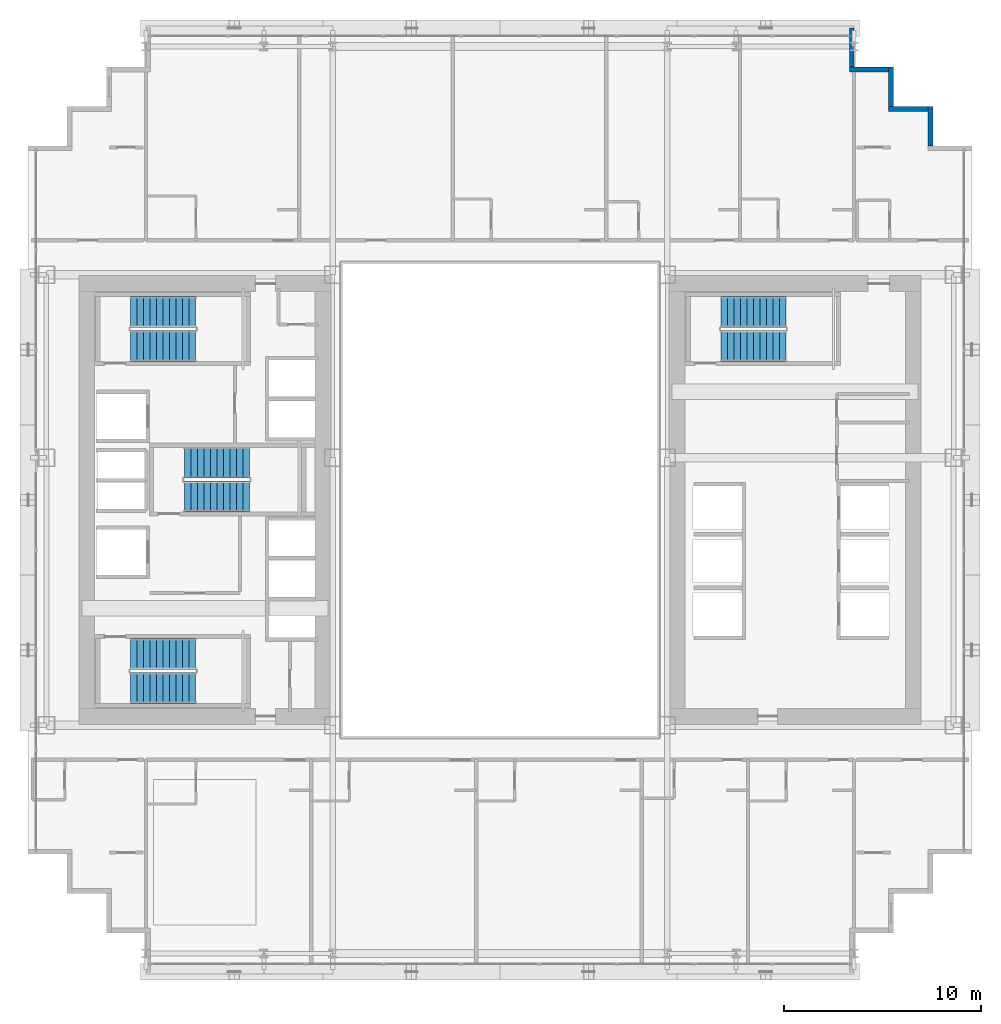
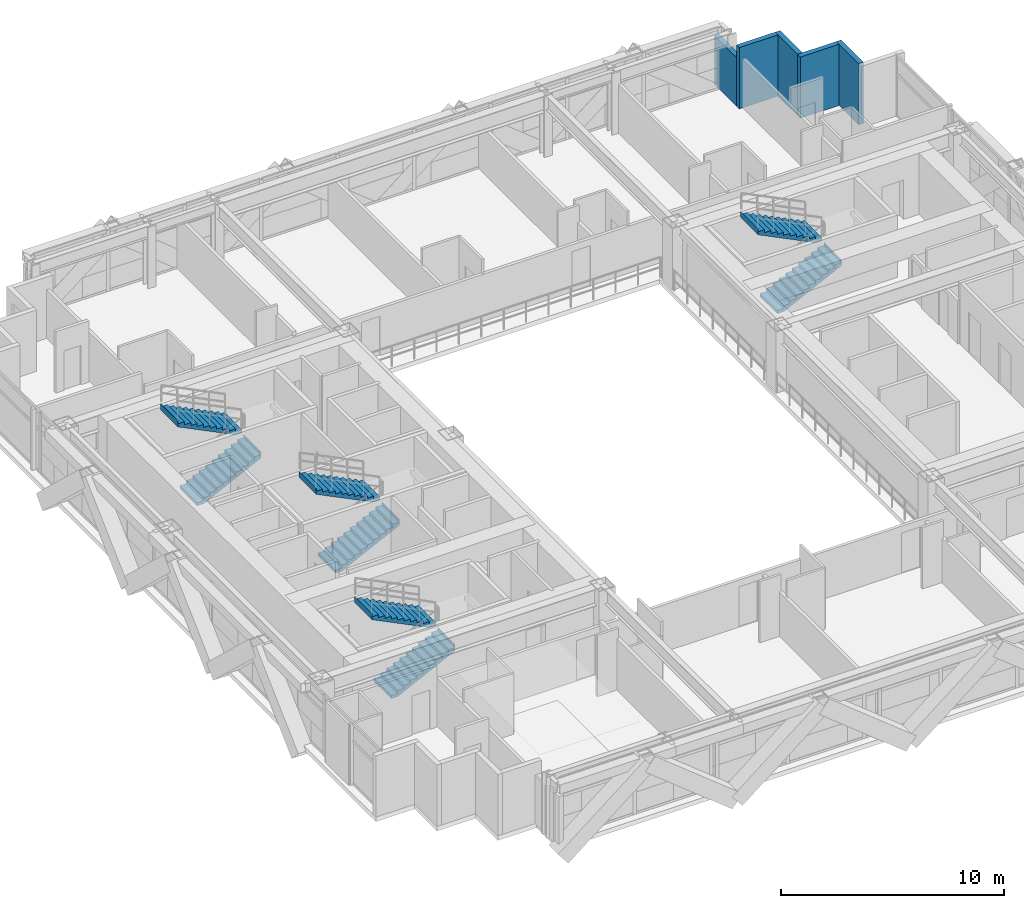
# One storey, part 31 of 35: 8 stair flights, 5 walls, 4 elements without a shape of their own.
"""IFC4 building model written with IfcOpenShell, lengths in metres."""

from ifc_helpers import new_model, si_unit, direction, frame, frame_2d, origin, place, context, subcontext, project, spatial, polyline, rectangle, outline, extrude, source, transform, mapped, material, layer, layer_set, type_object, element, aggregate, save


model = new_model("IFC4")

# Units and contexts
model_context = context("Model", 3, precision=1e-05, world=origin(), true_north=direction((0.0, 1.0)))
body_context = subcontext(model_context, "Body", "Model", "MODEL_VIEW")
ifc_project = project(units=[si_unit("LENGTHUNIT", "METRE"), si_unit("AREAUNIT", "SQUARE_METRE"), si_unit("VOLUMEUNIT", "CUBIC_METRE"), si_unit("PLANEANGLEUNIT", "RADIAN"), si_unit("MASSUNIT", "GRAM", prefix="KILO")], contexts=[model_context])

# Site, building, storey
site_placement = place(None, origin())
site = spatial("IfcSite", under=ifc_project, at=site_placement, CompositionType="ELEMENT")
building_placement = place(site_placement, origin())
building = spatial("IfcBuilding", under=site, at=building_placement, Name="Ocotamira Hotel", CompositionType="ELEMENT")
storey_placement = place(building_placement, frame((0.0, 0.0, 63.60009765625)))
storey = spatial("IfcBuildingStorey", under=building, at=storey_placement, Name="L15", CompositionType="ELEMENT", Elevation=63.60009765625)

# Walls
ifc_material_1 = material(Name="Precast concrete C45/55", Category="concrete")
ifc_layer = layer(ifc_material_1, 0.25)
ifc_layer_set = layer_set([ifc_layer], Name="Precast concrete C45/55")
wall_type = type_object("IfcWallType", Name="WL-EXT-SER-250", PredefinedType="SOLIDWALL", material=ifc_layer_set)
for number, where, z_axis, x_axis, name in (
    (1, (53.875, 44.0, 0.0), (0.0, 0.0, 1.0), (0.0, 1.0, 0.0), "L15 Serrated Corner Wall 08"),
    (2, (53.75, 45.875, 0.0), (0.0, 0.0, 1.0), (-1.0, 0.0, 0.0), "L15 Serrated Corner Wall 09"),
    (3, (51.875, 46.0, 0.0), (0.0, 0.0, 1.0), (0.0, 1.0, 0.0), "L15 Serrated Corner Wall 10"),
    (4, (51.75, 47.875, 0.0), (0.0, 0.0, 1.0), (-1.0, 0.0, 0.0), "L15 Serrated Corner Wall 11"),
):
    element("IfcWall", number, at=place(storey_placement, frame(where, z_axis=z_axis, x_axis=x_axis)), inside=storey, type_object=wall_type, Name=name, PredefinedType="SOLIDWALL", context=body_context, shape_type="SweptSolid", body=[
        extrude(rectangle(XDim=2.0, YDim=0.25, at=frame_2d((1.0, 0.0))), origin(), (0.0, 0.0, 1.0), 3.349853515625),
    ])
wall_placement = place(storey_placement, frame((49.875, 48.0, 0.0), z_axis=(0.0, 0.0, 1.0), x_axis=(0.0, 1.0, 0.0)))
element("IfcWall", 5, at=wall_placement, inside=storey, type_object=wall_type, Name="L15 Serrated Corner Wall 12", PredefinedType="SOLIDWALL", context=body_context, shape_type="SweptSolid", body=[
    extrude(rectangle(XDim=2.0, YDim=0.25, at=frame_2d((1.0, 0.0))), origin(), (0.0, 0.0, 1.0), 2.656982421875),
])

# Stair, stair flights
ifc_material_2 = material(Name="Concrete C40/50", Category="concrete")
stair_type = type_object("IfcStairType", Name="ST-CORE-1560", PredefinedType="HALF_TURN_STAIR", material=ifc_material_2)
stair_1_placement = place(storey_placement, origin())
stair_1 = element("IfcStair", 6, at=stair_1_placement, inside=storey, type_object=stair_type, Name="L15 Exit Stair ST-1", PredefinedType="HALF_TURN_STAIR")
stair_flight_type = type_object("IfcStairFlightType", Name="STF-CORE-1560", PredefinedType="STRAIGHT", material=ifc_material_2)
shared_shape = source(origin(), body_context, "Body", "SweptSolid", [
    extrude(outline(polyline([(-0.00390625, 0.0), (-0.00390625, 0.16357421875), (0.330078125, 0.16357421875), (0.330078125, 0.327392578125), (0.659912109375, 0.327392578125), (0.659912109375, 0.490966796875), (0.989990234375, 0.490966796875), (0.989990234375, 0.654541015625), (1.320068359375, 0.654541015625), (1.320068359375, 0.818115234375), (1.64990234375, 0.818115234375), (1.64990234375, 0.98193359375), (1.97998046875, 0.98193359375), (1.97998046875, 1.1455078125), (2.31005859375, 1.1455078125), (2.31005859375, 1.30908203125), (2.639892578125, 1.30908203125), (2.639892578125, 1.47265625), (2.969970703125, 1.47265625), (2.969970703125, 1.636474609375), (3.300048828125, 1.636474609375), (3.300048828125, 1.800048828125), (3.303955078125, 1.800048828125), (3.303955078125, 1.468994140625), (0.33740234375, 0.0), (-0.00390625, 0.0)])), frame((0.0, 0.780029296875, 0.0), z_axis=(0.0, -1.0, 0.0), x_axis=(1.0, 0.0, 0.0)), (0.0, 0.0, 1.0), 1.56005859375),
])
stair_flight_1_placement = place(storey_placement, frame((13.22998046875, 16.449951171875, 0.0), z_axis=(0.0, 0.0, 1.0), x_axis=(1.0, 0.0, 0.0)))
stair_flight_1 = element("IfcStairFlight", 7, at=stair_flight_1_placement, type_object=stair_flight_type, Name="ST-1 flight 1", NumberOfRisers=11, NumberOfTreads=10, PredefinedType="STRAIGHT", RiserHeight=0.163636364, TreadLength=0.33, context=body_context, shape_type="MappedRepresentation", body=[
    mapped(shared_shape, transform((0.0, 0.0, 0.0), scale=1.0)),
])
stair_flight_2_placement = place(storey_placement, frame((16.530029296875, 18.169921875, 1.7998046875), z_axis=(0.0, 0.0, 1.0), x_axis=(-1.0, 0.0, 0.0)))
stair_flight_2 = element("IfcStairFlight", 8, at=stair_flight_2_placement, type_object=stair_flight_type, Name="ST-1 flight 2", NumberOfRisers=11, NumberOfTreads=10, PredefinedType="STRAIGHT", RiserHeight=0.163636364, TreadLength=0.33, context=body_context, shape_type="MappedRepresentation", body=[
    mapped(shared_shape, transform((0.0, 0.0, 0.0), scale=1.0)),
])
aggregate(stair_1, [stair_flight_1, stair_flight_2])

stair_2_placement = place(storey_placement, origin())
stair_2 = element("IfcStair", 9, at=stair_2_placement, inside=storey, type_object=stair_type, Name="L15 Exit Stair ST-2", PredefinedType="HALF_TURN_STAIR")
stair_flight_3_placement = place(storey_placement, frame((13.22998046875, 33.830078125, 0.0), z_axis=(0.0, 0.0, 1.0), x_axis=(1.0, 0.0, 0.0)))
stair_flight_3 = element("IfcStairFlight", 10, at=stair_flight_3_placement, type_object=stair_flight_type, Name="ST-2 flight 1", NumberOfRisers=11, NumberOfTreads=10, PredefinedType="STRAIGHT", RiserHeight=0.163636364, TreadLength=0.33, context=body_context, shape_type="MappedRepresentation", body=[
    mapped(shared_shape, transform((0.0, 0.0, 0.0), scale=1.0)),
])
stair_flight_4_placement = place(storey_placement, frame((16.530029296875, 35.550048828125, 1.7998046875), z_axis=(0.0, 0.0, 1.0), x_axis=(-1.0, 0.0, 0.0)))
stair_flight_4 = element("IfcStairFlight", 11, at=stair_flight_4_placement, type_object=stair_flight_type, Name="ST-2 flight 2", NumberOfRisers=11, NumberOfTreads=10, PredefinedType="STRAIGHT", RiserHeight=0.163636364, TreadLength=0.33, context=body_context, shape_type="MappedRepresentation", body=[
    mapped(shared_shape, transform((0.0, 0.0, 0.0), scale=1.0)),
])
aggregate(stair_2, [stair_flight_3, stair_flight_4])

stair_3_placement = place(storey_placement, origin())
stair_3 = element("IfcStair", 12, at=stair_3_placement, inside=storey, type_object=stair_type, Name="L15 Exit Stair ST-3", PredefinedType="HALF_TURN_STAIR")
stair_flight_5_placement = place(storey_placement, frame((15.9599609375, 26.179931640625, 0.0), z_axis=(0.0, 0.0, 1.0), x_axis=(1.0, 0.0, 0.0)))
stair_flight_5 = element("IfcStairFlight", 13, at=stair_flight_5_placement, type_object=stair_flight_type, Name="ST-3 flight 1", NumberOfRisers=11, NumberOfTreads=10, PredefinedType="STRAIGHT", RiserHeight=0.163636364, TreadLength=0.33, context=body_context, shape_type="MappedRepresentation", body=[
    mapped(shared_shape, transform((0.0, 0.0, 0.0), scale=1.0)),
])
stair_flight_6_placement = place(storey_placement, frame((19.260009765625, 27.89990234375, 1.7998046875), z_axis=(0.0, 0.0, 1.0), x_axis=(-1.0, 0.0, 0.0)))
stair_flight_6 = element("IfcStairFlight", 14, at=stair_flight_6_placement, type_object=stair_flight_type, Name="ST-3 flight 2", NumberOfRisers=11, NumberOfTreads=10, PredefinedType="STRAIGHT", RiserHeight=0.163636364, TreadLength=0.33, context=body_context, shape_type="MappedRepresentation", body=[
    mapped(shared_shape, transform((0.0, 0.0, 0.0), scale=1.0)),
])
aggregate(stair_3, [stair_flight_5, stair_flight_6])

stair_4_placement = place(storey_placement, origin())
stair_4 = element("IfcStair", 15, at=stair_4_placement, inside=storey, type_object=stair_type, Name="L15 Exit Stair ST-4", PredefinedType="HALF_TURN_STAIR")
stair_flight_7_placement = place(storey_placement, frame((43.22998046875, 33.830078125, 0.0), z_axis=(0.0, 0.0, 1.0), x_axis=(1.0, 0.0, 0.0)))
stair_flight_7 = element("IfcStairFlight", 16, at=stair_flight_7_placement, type_object=stair_flight_type, Name="ST-4 flight 1", NumberOfRisers=11, NumberOfTreads=10, PredefinedType="STRAIGHT", RiserHeight=0.163636364, TreadLength=0.33, context=body_context, shape_type="MappedRepresentation", body=[
    mapped(shared_shape, transform((0.0, 0.0, 0.0), scale=1.0)),
])
stair_flight_8_placement = place(storey_placement, frame((46.530029296875, 35.550048828125, 1.7998046875), z_axis=(0.0, 0.0, 1.0), x_axis=(-1.0, 0.0, 0.0)))
stair_flight_8 = element("IfcStairFlight", 17, at=stair_flight_8_placement, type_object=stair_flight_type, Name="ST-4 flight 2", NumberOfRisers=11, NumberOfTreads=10, PredefinedType="STRAIGHT", RiserHeight=0.163636364, TreadLength=0.33, context=body_context, shape_type="MappedRepresentation", body=[
    mapped(shared_shape, transform((0.0, 0.0, 0.0), scale=1.0)),
])
aggregate(stair_4, [stair_flight_7, stair_flight_8])

save(model, "model.ifc")
